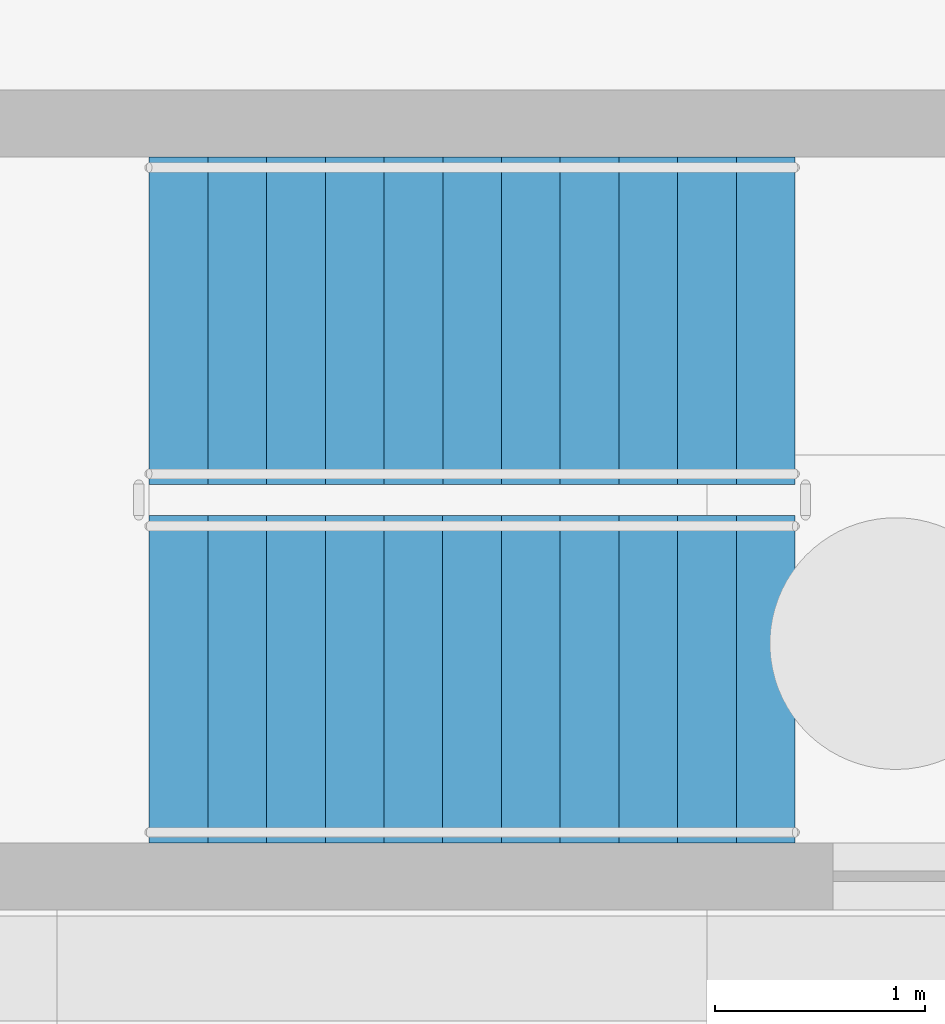
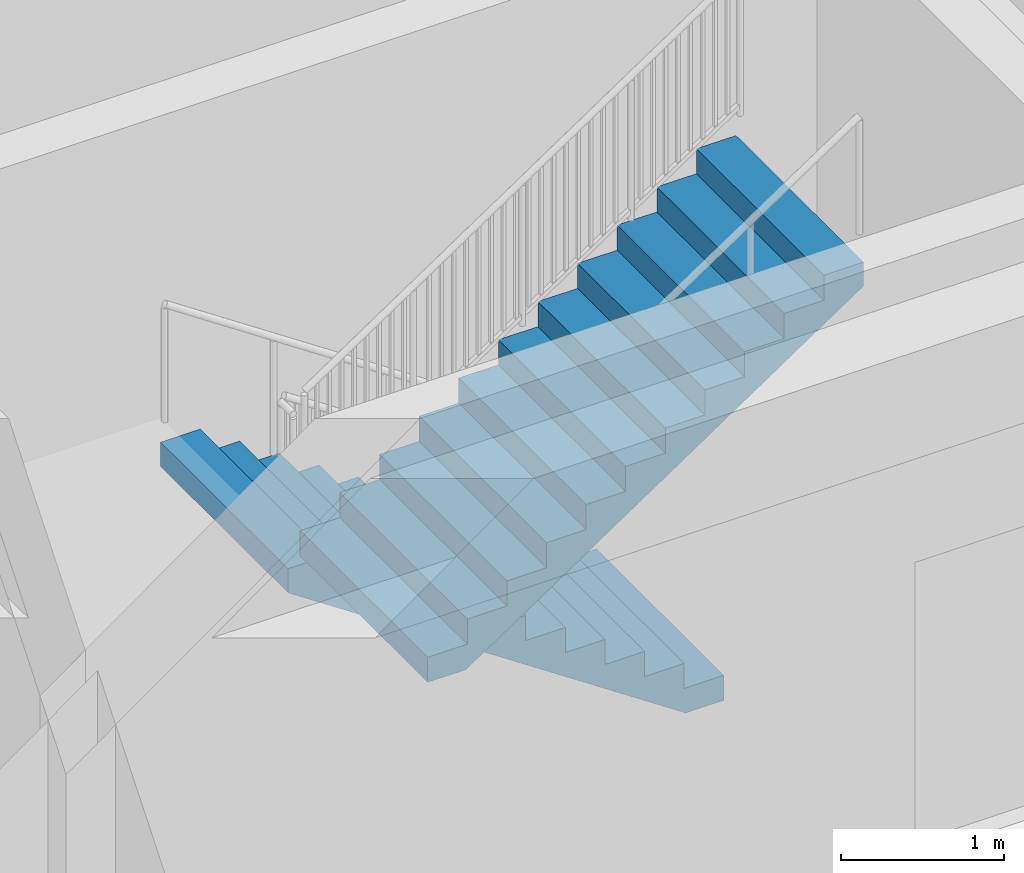
# One storey, part 42 of 49: 2 stair flights, 1 element without a shape of its own.
"""IFC4 building model written with IfcOpenShell, lengths in metres."""

from ifc_helpers import new_model, si_unit, direction, frame, origin, place, context, subcontext, project, spatial, polygons, material, type_object, element, aggregate, save


model = new_model("IFC4")

# Units and contexts
model_context = context("Model", 3, precision=1e-05, world=origin(), true_north=direction((0.0, 1.0)))
body_context = subcontext(model_context, "Body", "Model", "MODEL_VIEW")
ifc_project = project(units=[si_unit("LENGTHUNIT", "METRE"), si_unit("AREAUNIT", "SQUARE_METRE"), si_unit("VOLUMEUNIT", "CUBIC_METRE"), si_unit("PLANEANGLEUNIT", "RADIAN"), si_unit("MASSUNIT", "GRAM", prefix="KILO")], contexts=[model_context])

# Site, building, storey
site_placement = place(None, origin())
site = spatial("IfcSite", under=ifc_project, at=site_placement, CompositionType="ELEMENT")
building_placement = place(site_placement, origin())
building = spatial("IfcBuilding", under=site, at=building_placement, Name="Zantavel Square City Hall", CompositionType="ELEMENT")
storey_placement = place(building_placement, frame((0.0, 0.0, -4.5)))
storey = spatial("IfcBuildingStorey", under=building, at=storey_placement, Name="B1", CompositionType="ELEMENT", Elevation=-4.5)

# Stair, stair flights
ifc_material = material(Name="Concrete C35/45", Category="concrete")
stair_type = type_object("IfcStairType", Name="Enclosed Core Dogleg Stair B1 H4500", PredefinedType="HALF_TURN_STAIR", material=ifc_material)
stair_placement = place(storey_placement, origin())
stair = element("IfcStair", 1, at=stair_placement, inside=storey, type_object=stair_type, Name="B1 Exit Stair 6 Central East Core", PredefinedType="HALF_TURN_STAIR")
stair_flight_type = type_object("IfcStairFlightType", Name="Enclosed Core Stair Flight B1 W1560", PredefinedType="STRAIGHT", material=ifc_material)
stair_flight_1_placement = place(storey_placement, frame((101.969970703125, 63.889892578125, 0.0), z_axis=(0.0, 0.0, 1.0), x_axis=(-1.0, 0.0, 0.0)))
stair_flight_1 = element("IfcStairFlight", 2, at=stair_flight_1_placement, type_object=stair_flight_type, Name="ST6 flight 1", NumberOfRisers=12, NumberOfTreads=11, PredefinedType="STRAIGHT", RiserHeight=0.1875, TreadLength=0.28, context=body_context, shape_type="Tessellation", body=[
    polygons([(0.26953125, -0.780029296875, 0.0), (3.080078125, -0.780029296875, 1.882080078125), (3.080078125, -0.780029296875, 2.0625), (2.800048828125, -0.780029296875, 2.0625), (2.800048828125, -0.780029296875, 1.875), (2.52001953125, -0.780029296875, 1.875), (2.52001953125, -0.780029296875, 1.6875), (2.239990234375, -0.780029296875, 1.6875), (2.239990234375, -0.780029296875, 1.5), (1.9599609375, -0.780029296875, 1.5), (1.9599609375, -0.780029296875, 1.3125), (1.679931640625, -0.780029296875, 1.3125), (1.679931640625, -0.780029296875, 1.125), (1.39990234375, -0.780029296875, 1.125), (1.39990234375, -0.780029296875, 0.9375), (1.1201171875, -0.780029296875, 0.9375), (1.1201171875, -0.780029296875, 0.75), (0.840087890625, -0.780029296875, 0.75), (0.840087890625, -0.780029296875, 0.5625), (0.56005859375, -0.780029296875, 0.5625), (0.56005859375, -0.780029296875, 0.375), (0.280029296875, -0.780029296875, 0.375), (0.280029296875, -0.780029296875, 0.1875), (0.0, -0.780029296875, 0.1875), (0.0, -0.780029296875, 0.0), (0.26953125, -0.5849609375, 0.0), (3.080078125, -0.5849609375, 1.882080078125), (3.080078125, -0.5849609375, 2.0625), (2.800048828125, -0.5849609375, 2.0625), (2.800048828125, -0.5849609375, 1.875), (2.52001953125, -0.5849609375, 1.875), (2.52001953125, -0.5849609375, 1.6875), (2.239990234375, -0.5849609375, 1.6875), (2.239990234375, -0.5849609375, 1.5), (1.9599609375, -0.5849609375, 1.5), (1.9599609375, -0.5849609375, 1.3125), (1.679931640625, -0.5849609375, 1.3125), (1.679931640625, -0.5849609375, 1.125), (1.39990234375, -0.5849609375, 1.125), (1.39990234375, -0.5849609375, 0.9375), (1.1201171875, -0.5849609375, 0.9375), (1.1201171875, -0.5849609375, 0.75), (0.840087890625, -0.5849609375, 0.75), (0.840087890625, -0.5849609375, 0.5625), (0.56005859375, -0.5849609375, 0.5625), (0.56005859375, -0.5849609375, 0.375), (0.280029296875, -0.5849609375, 0.375), (0.280029296875, -0.5849609375, 0.1875), (0.0, -0.5849609375, 0.1875), (0.0, -0.5849609375, 0.0), (0.26953125, -0.39013671875, 0.0), (3.080078125, -0.39013671875, 1.882080078125), (3.080078125, -0.39013671875, 2.0625), (2.800048828125, -0.39013671875, 2.0625), (2.800048828125, -0.39013671875, 1.875), (2.52001953125, -0.39013671875, 1.875), (2.52001953125, -0.39013671875, 1.6875), (2.239990234375, -0.39013671875, 1.6875), (2.239990234375, -0.39013671875, 1.5), (1.9599609375, -0.39013671875, 1.5), (1.9599609375, -0.39013671875, 1.3125), (1.679931640625, -0.39013671875, 1.3125), (1.679931640625, -0.39013671875, 1.125), (1.39990234375, -0.39013671875, 1.125), (1.39990234375, -0.39013671875, 0.9375), (1.1201171875, -0.39013671875, 0.9375), (1.1201171875, -0.39013671875, 0.75), (0.840087890625, -0.39013671875, 0.75), (0.840087890625, -0.39013671875, 0.5625), (0.56005859375, -0.39013671875, 0.5625), (0.56005859375, -0.39013671875, 0.375), (0.280029296875, -0.39013671875, 0.375), (0.280029296875, -0.39013671875, 0.1875), (0.0, -0.39013671875, 0.1875), (0.0, -0.39013671875, 0.0), (0.26953125, -0.195068359375, 0.0), (3.080078125, -0.195068359375, 1.882080078125), (3.080078125, -0.195068359375, 2.0625), (2.800048828125, -0.195068359375, 2.0625), (2.800048828125, -0.195068359375, 1.875), (2.52001953125, -0.195068359375, 1.875), (2.52001953125, -0.195068359375, 1.6875), (2.239990234375, -0.195068359375, 1.6875), (2.239990234375, -0.195068359375, 1.5), (1.9599609375, -0.195068359375, 1.5), (1.9599609375, -0.195068359375, 1.3125), (1.679931640625, -0.195068359375, 1.3125), (1.679931640625, -0.195068359375, 1.125), (1.39990234375, -0.195068359375, 1.125), (1.39990234375, -0.195068359375, 0.9375), (1.1201171875, -0.195068359375, 0.9375), (1.1201171875, -0.195068359375, 0.75), (0.840087890625, -0.195068359375, 0.75), (0.840087890625, -0.195068359375, 0.5625), (0.56005859375, -0.195068359375, 0.5625), (0.56005859375, -0.195068359375, 0.375), (0.280029296875, -0.195068359375, 0.375), (0.280029296875, -0.195068359375, 0.1875), (0.0, -0.195068359375, 0.1875), (0.0, -0.195068359375, 0.0), (0.26953125, 0.0, 0.0), (3.080078125, 0.0, 1.882080078125), (3.080078125, 0.0, 2.0625), (2.800048828125, 0.0, 2.0625), (2.800048828125, 0.0, 1.875), (2.52001953125, 0.0, 1.875), (2.52001953125, 0.0, 1.6875), (2.239990234375, 0.0, 1.6875), (2.239990234375, 0.0, 1.5), (1.9599609375, 0.0, 1.5), (1.9599609375, 0.0, 1.3125), (1.679931640625, 0.0, 1.3125), (1.679931640625, 0.0, 1.125), (1.39990234375, 0.0, 1.125), (1.39990234375, 0.0, 0.9375), (1.1201171875, 0.0, 0.9375), (1.1201171875, 0.0, 0.75), (0.840087890625, 0.0, 0.75), (0.840087890625, 0.0, 0.5625), (0.56005859375, 0.0, 0.5625), (0.56005859375, 0.0, 0.375), (0.280029296875, 0.0, 0.375), (0.280029296875, 0.0, 0.1875), (0.0, 0.0, 0.1875), (0.0, 0.0, 0.0), (0.26953125, 0.195068359375, 0.0), (3.080078125, 0.195068359375, 1.882080078125), (3.080078125, 0.195068359375, 2.0625), (2.800048828125, 0.195068359375, 2.0625), (2.800048828125, 0.195068359375, 1.875), (2.52001953125, 0.195068359375, 1.875), (2.52001953125, 0.195068359375, 1.6875), (2.239990234375, 0.195068359375, 1.6875), (2.239990234375, 0.195068359375, 1.5), (1.9599609375, 0.195068359375, 1.5), (1.9599609375, 0.195068359375, 1.3125), (1.679931640625, 0.195068359375, 1.3125), (1.679931640625, 0.195068359375, 1.125), (1.39990234375, 0.195068359375, 1.125), (1.39990234375, 0.195068359375, 0.9375), (1.1201171875, 0.195068359375, 0.9375), (1.1201171875, 0.195068359375, 0.75), (0.840087890625, 0.195068359375, 0.75), (0.840087890625, 0.195068359375, 0.5625), (0.56005859375, 0.195068359375, 0.5625), (0.56005859375, 0.195068359375, 0.375), (0.280029296875, 0.195068359375, 0.375), (0.280029296875, 0.195068359375, 0.1875), (0.0, 0.195068359375, 0.1875), (0.0, 0.195068359375, 0.0), (0.26953125, 0.39013671875, 0.0), (3.080078125, 0.39013671875, 1.882080078125), (3.080078125, 0.39013671875, 2.0625), (2.800048828125, 0.39013671875, 2.0625), (2.800048828125, 0.39013671875, 1.875), (2.52001953125, 0.39013671875, 1.875), (2.52001953125, 0.39013671875, 1.6875), (2.239990234375, 0.39013671875, 1.6875), (2.239990234375, 0.39013671875, 1.5), (1.9599609375, 0.39013671875, 1.5), (1.9599609375, 0.39013671875, 1.3125), (1.679931640625, 0.39013671875, 1.3125), (1.679931640625, 0.39013671875, 1.125), (1.39990234375, 0.39013671875, 1.125), (1.39990234375, 0.39013671875, 0.9375), (1.1201171875, 0.39013671875, 0.9375), (1.1201171875, 0.39013671875, 0.75), (0.840087890625, 0.39013671875, 0.75), (0.840087890625, 0.39013671875, 0.5625), (0.56005859375, 0.39013671875, 0.5625), (0.56005859375, 0.39013671875, 0.375), (0.280029296875, 0.39013671875, 0.375), (0.280029296875, 0.39013671875, 0.1875), (0.0, 0.39013671875, 0.1875), (0.0, 0.39013671875, 0.0), (0.26953125, 0.5849609375, 0.0), (3.080078125, 0.5849609375, 1.882080078125), (3.080078125, 0.5849609375, 2.0625), (2.800048828125, 0.5849609375, 2.0625), (2.800048828125, 0.5849609375, 1.875), (2.52001953125, 0.5849609375, 1.875), (2.52001953125, 0.5849609375, 1.6875), (2.239990234375, 0.5849609375, 1.6875), (2.239990234375, 0.5849609375, 1.5), (1.9599609375, 0.5849609375, 1.5), (1.9599609375, 0.5849609375, 1.3125), (1.679931640625, 0.5849609375, 1.3125), (1.679931640625, 0.5849609375, 1.125), (1.39990234375, 0.5849609375, 1.125), (1.39990234375, 0.5849609375, 0.9375), (1.1201171875, 0.5849609375, 0.9375), (1.1201171875, 0.5849609375, 0.75), (0.840087890625, 0.5849609375, 0.75), (0.840087890625, 0.5849609375, 0.5625), (0.56005859375, 0.5849609375, 0.5625), (0.56005859375, 0.5849609375, 0.375), (0.280029296875, 0.5849609375, 0.375), (0.280029296875, 0.5849609375, 0.1875), (0.0, 0.5849609375, 0.1875), (0.0, 0.5849609375, 0.0), (0.26953125, 0.780029296875, 0.0), (3.080078125, 0.780029296875, 1.882080078125), (3.080078125, 0.780029296875, 2.0625), (2.800048828125, 0.780029296875, 2.0625), (2.800048828125, 0.780029296875, 1.875), (2.52001953125, 0.780029296875, 1.875), (2.52001953125, 0.780029296875, 1.6875), (2.239990234375, 0.780029296875, 1.6875), (2.239990234375, 0.780029296875, 1.5), (1.9599609375, 0.780029296875, 1.5), (1.9599609375, 0.780029296875, 1.3125), (1.679931640625, 0.780029296875, 1.3125), (1.679931640625, 0.780029296875, 1.125), (1.39990234375, 0.780029296875, 1.125), (1.39990234375, 0.780029296875, 0.9375), (1.1201171875, 0.780029296875, 0.9375), (1.1201171875, 0.780029296875, 0.75), (0.840087890625, 0.780029296875, 0.75), (0.840087890625, 0.780029296875, 0.5625), (0.56005859375, 0.780029296875, 0.5625), (0.56005859375, 0.780029296875, 0.375), (0.280029296875, 0.780029296875, 0.375), (0.280029296875, 0.780029296875, 0.1875), (0.0, 0.780029296875, 0.1875), (0.0, 0.780029296875, 0.0)], [[[1, 2, 3, 4, 5, 6, 7, 8, 9, 10, 11, 12, 13, 14, 15, 16, 17, 18, 19, 20, 21, 22, 23, 24, 25]], [[225, 224, 223, 222, 221, 220, 219, 218, 217, 216, 215, 214, 213, 212, 211, 210, 209, 208, 207, 206, 205, 204, 203, 202, 201]], [[1, 26, 27]], [[1, 27, 2]], [[2, 27, 28]], [[2, 28, 3]], [[3, 28, 29]], [[3, 29, 4]], [[4, 29, 30]], [[4, 30, 5]], [[5, 30, 31]], [[5, 31, 6]], [[6, 31, 32]], [[6, 32, 7]], [[7, 32, 33]], [[7, 33, 8]], [[8, 33, 34]], [[8, 34, 9]], [[9, 34, 35]], [[9, 35, 10]], [[10, 35, 36]], [[10, 36, 11]], [[11, 36, 37]], [[11, 37, 12]], [[12, 37, 38]], [[12, 38, 13]], [[13, 38, 39]], [[13, 39, 14]], [[14, 39, 40]], [[14, 40, 15]], [[15, 40, 41]], [[15, 41, 16]], [[16, 41, 42]], [[16, 42, 17]], [[17, 42, 43]], [[17, 43, 18]], [[18, 43, 44]], [[18, 44, 19]], [[19, 44, 45]], [[19, 45, 20]], [[20, 45, 46]], [[20, 46, 21]], [[21, 46, 47]], [[21, 47, 22]], [[22, 47, 48]], [[22, 48, 23]], [[23, 48, 49]], [[23, 49, 24]], [[24, 49, 50]], [[24, 50, 25]], [[25, 50, 26]], [[25, 26, 1]], [[26, 51, 52]], [[26, 52, 27]], [[27, 52, 53]], [[27, 53, 28]], [[28, 53, 54]], [[28, 54, 29]], [[29, 54, 55]], [[29, 55, 30]], [[30, 55, 56]], [[30, 56, 31]], [[31, 56, 57]], [[31, 57, 32]], [[32, 57, 58]], [[32, 58, 33]], [[33, 58, 59]], [[33, 59, 34]], [[34, 59, 60]], [[34, 60, 35]], [[35, 60, 61]], [[35, 61, 36]], [[36, 61, 62]], [[36, 62, 37]], [[37, 62, 63]], [[37, 63, 38]], [[38, 63, 64]], [[38, 64, 39]], [[39, 64, 65]], [[39, 65, 40]], [[40, 65, 66]], [[40, 66, 41]], [[41, 66, 67]], [[41, 67, 42]], [[42, 67, 68]], [[42, 68, 43]], [[43, 68, 69]], [[43, 69, 44]], [[44, 69, 70]], [[44, 70, 45]], [[45, 70, 71]], [[45, 71, 46]], [[46, 71, 72]], [[46, 72, 47]], [[47, 72, 73]], [[47, 73, 48]], [[48, 73, 74]], [[48, 74, 49]], [[49, 74, 75]], [[49, 75, 50]], [[50, 75, 51]], [[50, 51, 26]], [[51, 76, 77]], [[51, 77, 52]], [[52, 77, 78]], [[52, 78, 53]], [[53, 78, 79]], [[53, 79, 54]], [[54, 79, 80]], [[54, 80, 55]], [[55, 80, 81]], [[55, 81, 56]], [[56, 81, 82]], [[56, 82, 57]], [[57, 82, 83]], [[57, 83, 58]], [[58, 83, 84]], [[58, 84, 59]], [[59, 84, 85]], [[59, 85, 60]], [[60, 85, 86]], [[60, 86, 61]], [[61, 86, 87]], [[61, 87, 62]], [[62, 87, 88]], [[62, 88, 63]], [[63, 88, 89]], [[63, 89, 64]], [[64, 89, 90]], [[64, 90, 65]], [[65, 90, 91]], [[65, 91, 66]], [[66, 91, 92]], [[66, 92, 67]], [[67, 92, 93]], [[67, 93, 68]], [[68, 93, 94]], [[68, 94, 69]], [[69, 94, 95]], [[69, 95, 70]], [[70, 95, 96]], [[70, 96, 71]], [[71, 96, 97]], [[71, 97, 72]], [[72, 97, 98]], [[72, 98, 73]], [[73, 98, 99]], [[73, 99, 74]], [[74, 99, 100]], [[74, 100, 75]], [[75, 100, 76]], [[75, 76, 51]], [[76, 101, 102]], [[76, 102, 77]], [[77, 102, 103]], [[77, 103, 78]], [[78, 103, 104]], [[78, 104, 79]], [[79, 104, 105]], [[79, 105, 80]], [[80, 105, 106]], [[80, 106, 81]], [[81, 106, 107]], [[81, 107, 82]], [[82, 107, 108]], [[82, 108, 83]], [[83, 108, 109]], [[83, 109, 84]], [[84, 109, 110]], [[84, 110, 85]], [[85, 110, 111]], [[85, 111, 86]], [[86, 111, 112]], [[86, 112, 87]], [[87, 112, 113]], [[87, 113, 88]], [[88, 113, 114]], [[88, 114, 89]], [[89, 114, 115]], [[89, 115, 90]], [[90, 115, 116]], [[90, 116, 91]], [[91, 116, 117]], [[91, 117, 92]], [[92, 117, 118]], [[92, 118, 93]], [[93, 118, 119]], [[93, 119, 94]], [[94, 119, 120]], [[94, 120, 95]], [[95, 120, 121]], [[95, 121, 96]], [[96, 121, 122]], [[96, 122, 97]], [[97, 122, 123]], [[97, 123, 98]], [[98, 123, 124]], [[98, 124, 99]], [[99, 124, 125]], [[99, 125, 100]], [[100, 125, 101]], [[100, 101, 76]], [[101, 126, 102]], [[126, 127, 102]], [[102, 127, 103]], [[127, 128, 103]], [[103, 128, 104]], [[128, 129, 104]], [[104, 129, 105]], [[129, 130, 105]], [[105, 130, 106]], [[130, 131, 106]], [[106, 131, 107]], [[131, 132, 107]], [[107, 132, 108]], [[132, 133, 108]], [[108, 133, 109]], [[133, 134, 109]], [[109, 134, 110]], [[134, 135, 110]], [[110, 135, 111]], [[135, 136, 111]], [[111, 136, 112]], [[136, 137, 112]], [[112, 137, 113]], [[137, 138, 113]], [[113, 138, 114]], [[138, 139, 114]], [[114, 139, 115]], [[139, 140, 115]], [[115, 140, 116]], [[140, 141, 116]], [[116, 141, 117]], [[141, 142, 117]], [[117, 142, 118]], [[142, 143, 118]], [[118, 143, 119]], [[143, 144, 119]], [[119, 144, 120]], [[144, 145, 120]], [[120, 145, 121]], [[145, 146, 121]], [[121, 146, 122]], [[146, 147, 122]], [[122, 147, 123]], [[147, 148, 123]], [[123, 148, 124]], [[148, 149, 124]], [[124, 149, 125]], [[149, 150, 125]], [[125, 150, 101]], [[150, 126, 101]], [[126, 151, 127]], [[151, 152, 127]], [[127, 152, 128]], [[152, 153, 128]], [[128, 153, 129]], [[153, 154, 129]], [[129, 154, 130]], [[154, 155, 130]], [[130, 155, 131]], [[155, 156, 131]], [[131, 156, 132]], [[156, 157, 132]], [[132, 157, 133]], [[157, 158, 133]], [[133, 158, 134]], [[158, 159, 134]], [[134, 159, 135]], [[159, 160, 135]], [[135, 160, 136]], [[160, 161, 136]], [[136, 161, 137]], [[161, 162, 137]], [[137, 162, 138]], [[162, 163, 138]], [[138, 163, 139]], [[163, 164, 139]], [[139, 164, 140]], [[164, 165, 140]], [[140, 165, 141]], [[165, 166, 141]], [[141, 166, 142]], [[166, 167, 142]], [[142, 167, 143]], [[167, 168, 143]], [[143, 168, 144]], [[168, 169, 144]], [[144, 169, 145]], [[169, 170, 145]], [[145, 170, 146]], [[170, 171, 146]], [[146, 171, 147]], [[171, 172, 147]], [[147, 172, 148]], [[172, 173, 148]], [[148, 173, 149]], [[173, 174, 149]], [[149, 174, 150]], [[174, 175, 150]], [[150, 175, 126]], [[175, 151, 126]], [[151, 176, 152]], [[176, 177, 152]], [[152, 177, 153]], [[177, 178, 153]], [[153, 178, 154]], [[178, 179, 154]], [[154, 179, 155]], [[179, 180, 155]], [[155, 180, 156]], [[180, 181, 156]], [[156, 181, 157]], [[181, 182, 157]], [[157, 182, 158]], [[182, 183, 158]], [[158, 183, 159]], [[183, 184, 159]], [[159, 184, 160]], [[184, 185, 160]], [[160, 185, 161]], [[185, 186, 161]], [[161, 186, 162]], [[186, 187, 162]], [[162, 187, 163]], [[187, 188, 163]], [[163, 188, 164]], [[188, 189, 164]], [[164, 189, 165]], [[189, 190, 165]], [[165, 190, 166]], [[190, 191, 166]], [[166, 191, 167]], [[191, 192, 167]], [[167, 192, 168]], [[192, 193, 168]], [[168, 193, 169]], [[193, 194, 169]], [[169, 194, 170]], [[194, 195, 170]], [[170, 195, 171]], [[195, 196, 171]], [[171, 196, 172]], [[196, 197, 172]], [[172, 197, 173]], [[197, 198, 173]], [[173, 198, 174]], [[198, 199, 174]], [[174, 199, 175]], [[199, 200, 175]], [[175, 200, 151]], [[200, 176, 151]], [[176, 201, 177]], [[201, 202, 177]], [[177, 202, 178]], [[202, 203, 178]], [[178, 203, 179]], [[203, 204, 179]], [[179, 204, 180]], [[204, 205, 180]], [[180, 205, 181]], [[205, 206, 181]], [[181, 206, 182]], [[206, 207, 182]], [[182, 207, 183]], [[207, 208, 183]], [[183, 208, 184]], [[208, 209, 184]], [[184, 209, 185]], [[209, 210, 185]], [[185, 210, 186]], [[210, 211, 186]], [[186, 211, 187]], [[211, 212, 187]], [[187, 212, 188]], [[212, 213, 188]], [[188, 213, 189]], [[213, 214, 189]], [[189, 214, 190]], [[214, 215, 190]], [[190, 215, 191]], [[215, 216, 191]], [[191, 216, 192]], [[216, 217, 192]], [[192, 217, 193]], [[217, 218, 193]], [[193, 218, 194]], [[218, 219, 194]], [[194, 219, 195]], [[219, 220, 195]], [[195, 220, 196]], [[220, 221, 196]], [[196, 221, 197]], [[221, 222, 197]], [[197, 222, 198]], [[222, 223, 198]], [[198, 223, 199]], [[223, 224, 199]], [[199, 224, 200]], [[224, 225, 200]], [[200, 225, 176]], [[225, 201, 176]]], closed=True),
])
stair_flight_2_placement = place(storey_placement, frame((98.889892578125, 62.179931640625, 2.25), z_axis=(0.0, 0.0, 1.0), x_axis=(1.0, 0.0, 0.0)))
stair_flight_2 = element("IfcStairFlight", 3, at=stair_flight_2_placement, type_object=stair_flight_type, Name="ST6 flight 2", NumberOfRisers=12, NumberOfTreads=11, PredefinedType="STRAIGHT", RiserHeight=0.1875, TreadLength=0.28, context=body_context, shape_type="Tessellation", body=[
    polygons([(0.26953125, -0.780029296875, 0.0), (3.080078125, -0.780029296875, 1.882080078125), (3.080078125, -0.780029296875, 2.0625), (2.800048828125, -0.780029296875, 2.0625), (2.800048828125, -0.780029296875, 1.875), (2.52001953125, -0.780029296875, 1.875), (2.52001953125, -0.780029296875, 1.6875), (2.239990234375, -0.780029296875, 1.6875), (2.239990234375, -0.780029296875, 1.5), (1.9599609375, -0.780029296875, 1.5), (1.9599609375, -0.780029296875, 1.3125), (1.679931640625, -0.780029296875, 1.3125), (1.679931640625, -0.780029296875, 1.125), (1.39990234375, -0.780029296875, 1.125), (1.39990234375, -0.780029296875, 0.9375), (1.1201171875, -0.780029296875, 0.9375), (1.1201171875, -0.780029296875, 0.75), (0.840087890625, -0.780029296875, 0.75), (0.840087890625, -0.780029296875, 0.5625), (0.56005859375, -0.780029296875, 0.5625), (0.56005859375, -0.780029296875, 0.375), (0.280029296875, -0.780029296875, 0.375), (0.280029296875, -0.780029296875, 0.1875), (0.0, -0.780029296875, 0.1875), (0.0, -0.780029296875, 0.0), (0.26953125, -0.5849609375, 0.0), (3.080078125, -0.5849609375, 1.882080078125), (3.080078125, -0.5849609375, 2.0625), (2.800048828125, -0.5849609375, 2.0625), (2.800048828125, -0.5849609375, 1.875), (2.52001953125, -0.5849609375, 1.875), (2.52001953125, -0.5849609375, 1.6875), (2.239990234375, -0.5849609375, 1.6875), (2.239990234375, -0.5849609375, 1.5), (1.9599609375, -0.5849609375, 1.5), (1.9599609375, -0.5849609375, 1.3125), (1.679931640625, -0.5849609375, 1.3125), (1.679931640625, -0.5849609375, 1.125), (1.39990234375, -0.5849609375, 1.125), (1.39990234375, -0.5849609375, 0.9375), (1.1201171875, -0.5849609375, 0.9375), (1.1201171875, -0.5849609375, 0.75), (0.840087890625, -0.5849609375, 0.75), (0.840087890625, -0.5849609375, 0.5625), (0.56005859375, -0.5849609375, 0.5625), (0.56005859375, -0.5849609375, 0.375), (0.280029296875, -0.5849609375, 0.375), (0.280029296875, -0.5849609375, 0.1875), (0.0, -0.5849609375, 0.1875), (0.0, -0.5849609375, 0.0), (0.26953125, -0.39013671875, 0.0), (3.080078125, -0.39013671875, 1.882080078125), (3.080078125, -0.39013671875, 2.0625), (2.800048828125, -0.39013671875, 2.0625), (2.800048828125, -0.39013671875, 1.875), (2.52001953125, -0.39013671875, 1.875), (2.52001953125, -0.39013671875, 1.6875), (2.239990234375, -0.39013671875, 1.6875), (2.239990234375, -0.39013671875, 1.5), (1.9599609375, -0.39013671875, 1.5), (1.9599609375, -0.39013671875, 1.3125), (1.679931640625, -0.39013671875, 1.3125), (1.679931640625, -0.39013671875, 1.125), (1.39990234375, -0.39013671875, 1.125), (1.39990234375, -0.39013671875, 0.9375), (1.1201171875, -0.39013671875, 0.9375), (1.1201171875, -0.39013671875, 0.75), (0.840087890625, -0.39013671875, 0.75), (0.840087890625, -0.39013671875, 0.5625), (0.56005859375, -0.39013671875, 0.5625), (0.56005859375, -0.39013671875, 0.375), (0.280029296875, -0.39013671875, 0.375), (0.280029296875, -0.39013671875, 0.1875), (0.0, -0.39013671875, 0.1875), (0.0, -0.39013671875, 0.0), (0.26953125, -0.195068359375, 0.0), (3.080078125, -0.195068359375, 1.882080078125), (3.080078125, -0.195068359375, 2.0625), (2.800048828125, -0.195068359375, 2.0625), (2.800048828125, -0.195068359375, 1.875), (2.52001953125, -0.195068359375, 1.875), (2.52001953125, -0.195068359375, 1.6875), (2.239990234375, -0.195068359375, 1.6875), (2.239990234375, -0.195068359375, 1.5), (1.9599609375, -0.195068359375, 1.5), (1.9599609375, -0.195068359375, 1.3125), (1.679931640625, -0.195068359375, 1.3125), (1.679931640625, -0.195068359375, 1.125), (1.39990234375, -0.195068359375, 1.125), (1.39990234375, -0.195068359375, 0.9375), (1.1201171875, -0.195068359375, 0.9375), (1.1201171875, -0.195068359375, 0.75), (0.840087890625, -0.195068359375, 0.75), (0.840087890625, -0.195068359375, 0.5625), (0.56005859375, -0.195068359375, 0.5625), (0.56005859375, -0.195068359375, 0.375), (0.280029296875, -0.195068359375, 0.375), (0.280029296875, -0.195068359375, 0.1875), (0.0, -0.195068359375, 0.1875), (0.0, -0.195068359375, 0.0), (0.26953125, 0.0, 0.0), (3.080078125, 0.0, 1.882080078125), (3.080078125, 0.0, 2.0625), (2.800048828125, 0.0, 2.0625), (2.800048828125, 0.0, 1.875), (2.52001953125, 0.0, 1.875), (2.52001953125, 0.0, 1.6875), (2.239990234375, 0.0, 1.6875), (2.239990234375, 0.0, 1.5), (1.9599609375, 0.0, 1.5), (1.9599609375, 0.0, 1.3125), (1.679931640625, 0.0, 1.3125), (1.679931640625, 0.0, 1.125), (1.39990234375, 0.0, 1.125), (1.39990234375, 0.0, 0.9375), (1.1201171875, 0.0, 0.9375), (1.1201171875, 0.0, 0.75), (0.840087890625, 0.0, 0.75), (0.840087890625, 0.0, 0.5625), (0.56005859375, 0.0, 0.5625), (0.56005859375, 0.0, 0.375), (0.280029296875, 0.0, 0.375), (0.280029296875, 0.0, 0.1875), (0.0, 0.0, 0.1875), (0.0, 0.0, 0.0), (0.26953125, 0.195068359375, 0.0), (3.080078125, 0.195068359375, 1.882080078125), (3.080078125, 0.195068359375, 2.0625), (2.800048828125, 0.195068359375, 2.0625), (2.800048828125, 0.195068359375, 1.875), (2.52001953125, 0.195068359375, 1.875), (2.52001953125, 0.195068359375, 1.6875), (2.239990234375, 0.195068359375, 1.6875), (2.239990234375, 0.195068359375, 1.5), (1.9599609375, 0.195068359375, 1.5), (1.9599609375, 0.195068359375, 1.3125), (1.679931640625, 0.195068359375, 1.3125), (1.679931640625, 0.195068359375, 1.125), (1.39990234375, 0.195068359375, 1.125), (1.39990234375, 0.195068359375, 0.9375), (1.1201171875, 0.195068359375, 0.9375), (1.1201171875, 0.195068359375, 0.75), (0.840087890625, 0.195068359375, 0.75), (0.840087890625, 0.195068359375, 0.5625), (0.56005859375, 0.195068359375, 0.5625), (0.56005859375, 0.195068359375, 0.375), (0.280029296875, 0.195068359375, 0.375), (0.280029296875, 0.195068359375, 0.1875), (0.0, 0.195068359375, 0.1875), (0.0, 0.195068359375, 0.0), (0.26953125, 0.39013671875, 0.0), (3.080078125, 0.39013671875, 1.882080078125), (3.080078125, 0.39013671875, 2.0625), (2.800048828125, 0.39013671875, 2.0625), (2.800048828125, 0.39013671875, 1.875), (2.52001953125, 0.39013671875, 1.875), (2.52001953125, 0.39013671875, 1.6875), (2.239990234375, 0.39013671875, 1.6875), (2.239990234375, 0.39013671875, 1.5), (1.9599609375, 0.39013671875, 1.5), (1.9599609375, 0.39013671875, 1.3125), (1.679931640625, 0.39013671875, 1.3125), (1.679931640625, 0.39013671875, 1.125), (1.39990234375, 0.39013671875, 1.125), (1.39990234375, 0.39013671875, 0.9375), (1.1201171875, 0.39013671875, 0.9375), (1.1201171875, 0.39013671875, 0.75), (0.840087890625, 0.39013671875, 0.75), (0.840087890625, 0.39013671875, 0.5625), (0.56005859375, 0.39013671875, 0.5625), (0.56005859375, 0.39013671875, 0.375), (0.280029296875, 0.39013671875, 0.375), (0.280029296875, 0.39013671875, 0.1875), (0.0, 0.39013671875, 0.1875), (0.0, 0.39013671875, 0.0), (0.26953125, 0.5849609375, 0.0), (3.080078125, 0.5849609375, 1.882080078125), (3.080078125, 0.5849609375, 2.0625), (2.800048828125, 0.5849609375, 2.0625), (2.800048828125, 0.5849609375, 1.875), (2.52001953125, 0.5849609375, 1.875), (2.52001953125, 0.5849609375, 1.6875), (2.239990234375, 0.5849609375, 1.6875), (2.239990234375, 0.5849609375, 1.5), (1.9599609375, 0.5849609375, 1.5), (1.9599609375, 0.5849609375, 1.3125), (1.679931640625, 0.5849609375, 1.3125), (1.679931640625, 0.5849609375, 1.125), (1.39990234375, 0.5849609375, 1.125), (1.39990234375, 0.5849609375, 0.9375), (1.1201171875, 0.5849609375, 0.9375), (1.1201171875, 0.5849609375, 0.75), (0.840087890625, 0.5849609375, 0.75), (0.840087890625, 0.5849609375, 0.5625), (0.56005859375, 0.5849609375, 0.5625), (0.56005859375, 0.5849609375, 0.375), (0.280029296875, 0.5849609375, 0.375), (0.280029296875, 0.5849609375, 0.1875), (0.0, 0.5849609375, 0.1875), (0.0, 0.5849609375, 0.0), (0.26953125, 0.780029296875, 0.0), (3.080078125, 0.780029296875, 1.882080078125), (3.080078125, 0.780029296875, 2.0625), (2.800048828125, 0.780029296875, 2.0625), (2.800048828125, 0.780029296875, 1.875), (2.52001953125, 0.780029296875, 1.875), (2.52001953125, 0.780029296875, 1.6875), (2.239990234375, 0.780029296875, 1.6875), (2.239990234375, 0.780029296875, 1.5), (1.9599609375, 0.780029296875, 1.5), (1.9599609375, 0.780029296875, 1.3125), (1.679931640625, 0.780029296875, 1.3125), (1.679931640625, 0.780029296875, 1.125), (1.39990234375, 0.780029296875, 1.125), (1.39990234375, 0.780029296875, 0.9375), (1.1201171875, 0.780029296875, 0.9375), (1.1201171875, 0.780029296875, 0.75), (0.840087890625, 0.780029296875, 0.75), (0.840087890625, 0.780029296875, 0.5625), (0.56005859375, 0.780029296875, 0.5625), (0.56005859375, 0.780029296875, 0.375), (0.280029296875, 0.780029296875, 0.375), (0.280029296875, 0.780029296875, 0.1875), (0.0, 0.780029296875, 0.1875), (0.0, 0.780029296875, 0.0)], [[[1, 2, 3, 4, 5, 6, 7, 8, 9, 10, 11, 12, 13, 14, 15, 16, 17, 18, 19, 20, 21, 22, 23, 24, 25]], [[225, 224, 223, 222, 221, 220, 219, 218, 217, 216, 215, 214, 213, 212, 211, 210, 209, 208, 207, 206, 205, 204, 203, 202, 201]], [[1, 26, 27]], [[1, 27, 2]], [[2, 27, 28]], [[2, 28, 3]], [[3, 28, 29]], [[3, 29, 4]], [[4, 29, 30]], [[4, 30, 5]], [[5, 30, 31]], [[5, 31, 6]], [[6, 31, 32]], [[6, 32, 7]], [[7, 32, 33]], [[7, 33, 8]], [[8, 33, 34]], [[8, 34, 9]], [[9, 34, 35]], [[9, 35, 10]], [[10, 35, 36]], [[10, 36, 11]], [[11, 36, 37]], [[11, 37, 12]], [[12, 37, 38]], [[12, 38, 13]], [[13, 38, 39]], [[13, 39, 14]], [[14, 39, 40]], [[14, 40, 15]], [[15, 40, 41]], [[15, 41, 16]], [[16, 41, 42]], [[16, 42, 17]], [[17, 42, 43]], [[17, 43, 18]], [[18, 43, 44]], [[18, 44, 19]], [[19, 44, 45]], [[19, 45, 20]], [[20, 45, 46]], [[20, 46, 21]], [[21, 46, 47]], [[21, 47, 22]], [[22, 47, 48]], [[22, 48, 23]], [[23, 48, 49]], [[23, 49, 24]], [[24, 49, 50]], [[24, 50, 25]], [[25, 50, 26]], [[25, 26, 1]], [[26, 51, 52]], [[26, 52, 27]], [[27, 52, 53]], [[27, 53, 28]], [[28, 53, 54]], [[28, 54, 29]], [[29, 54, 55]], [[29, 55, 30]], [[30, 55, 56]], [[30, 56, 31]], [[31, 56, 57]], [[31, 57, 32]], [[32, 57, 58]], [[32, 58, 33]], [[33, 58, 59]], [[33, 59, 34]], [[34, 59, 60]], [[34, 60, 35]], [[35, 60, 61]], [[35, 61, 36]], [[36, 61, 62]], [[36, 62, 37]], [[37, 62, 63]], [[37, 63, 38]], [[38, 63, 64]], [[38, 64, 39]], [[39, 64, 65]], [[39, 65, 40]], [[40, 65, 66]], [[40, 66, 41]], [[41, 66, 67]], [[41, 67, 42]], [[42, 67, 68]], [[42, 68, 43]], [[43, 68, 69]], [[43, 69, 44]], [[44, 69, 70]], [[44, 70, 45]], [[45, 70, 71]], [[45, 71, 46]], [[46, 71, 72]], [[46, 72, 47]], [[47, 72, 73]], [[47, 73, 48]], [[48, 73, 74]], [[48, 74, 49]], [[49, 74, 75]], [[49, 75, 50]], [[50, 75, 51]], [[50, 51, 26]], [[51, 76, 77]], [[51, 77, 52]], [[52, 77, 78]], [[52, 78, 53]], [[53, 78, 79]], [[53, 79, 54]], [[54, 79, 80]], [[54, 80, 55]], [[55, 80, 81]], [[55, 81, 56]], [[56, 81, 82]], [[56, 82, 57]], [[57, 82, 83]], [[57, 83, 58]], [[58, 83, 84]], [[58, 84, 59]], [[59, 84, 85]], [[59, 85, 60]], [[60, 85, 86]], [[60, 86, 61]], [[61, 86, 87]], [[61, 87, 62]], [[62, 87, 88]], [[62, 88, 63]], [[63, 88, 89]], [[63, 89, 64]], [[64, 89, 90]], [[64, 90, 65]], [[65, 90, 91]], [[65, 91, 66]], [[66, 91, 92]], [[66, 92, 67]], [[67, 92, 93]], [[67, 93, 68]], [[68, 93, 94]], [[68, 94, 69]], [[69, 94, 95]], [[69, 95, 70]], [[70, 95, 96]], [[70, 96, 71]], [[71, 96, 97]], [[71, 97, 72]], [[72, 97, 98]], [[72, 98, 73]], [[73, 98, 99]], [[73, 99, 74]], [[74, 99, 100]], [[74, 100, 75]], [[75, 100, 76]], [[75, 76, 51]], [[76, 101, 102]], [[76, 102, 77]], [[77, 102, 103]], [[77, 103, 78]], [[78, 103, 104]], [[78, 104, 79]], [[79, 104, 105]], [[79, 105, 80]], [[80, 105, 106]], [[80, 106, 81]], [[81, 106, 107]], [[81, 107, 82]], [[82, 107, 108]], [[82, 108, 83]], [[83, 108, 109]], [[83, 109, 84]], [[84, 109, 110]], [[84, 110, 85]], [[85, 110, 111]], [[85, 111, 86]], [[86, 111, 112]], [[86, 112, 87]], [[87, 112, 113]], [[87, 113, 88]], [[88, 113, 114]], [[88, 114, 89]], [[89, 114, 115]], [[89, 115, 90]], [[90, 115, 116]], [[90, 116, 91]], [[91, 116, 117]], [[91, 117, 92]], [[92, 117, 118]], [[92, 118, 93]], [[93, 118, 119]], [[93, 119, 94]], [[94, 119, 120]], [[94, 120, 95]], [[95, 120, 121]], [[95, 121, 96]], [[96, 121, 122]], [[96, 122, 97]], [[97, 122, 123]], [[97, 123, 98]], [[98, 123, 124]], [[98, 124, 99]], [[99, 124, 125]], [[99, 125, 100]], [[100, 125, 101]], [[100, 101, 76]], [[101, 126, 102]], [[126, 127, 102]], [[102, 127, 103]], [[127, 128, 103]], [[103, 128, 104]], [[128, 129, 104]], [[104, 129, 105]], [[129, 130, 105]], [[105, 130, 106]], [[130, 131, 106]], [[106, 131, 107]], [[131, 132, 107]], [[107, 132, 108]], [[132, 133, 108]], [[108, 133, 109]], [[133, 134, 109]], [[109, 134, 110]], [[134, 135, 110]], [[110, 135, 111]], [[135, 136, 111]], [[111, 136, 112]], [[136, 137, 112]], [[112, 137, 113]], [[137, 138, 113]], [[113, 138, 114]], [[138, 139, 114]], [[114, 139, 115]], [[139, 140, 115]], [[115, 140, 116]], [[140, 141, 116]], [[116, 141, 117]], [[141, 142, 117]], [[117, 142, 118]], [[142, 143, 118]], [[118, 143, 119]], [[143, 144, 119]], [[119, 144, 120]], [[144, 145, 120]], [[120, 145, 121]], [[145, 146, 121]], [[121, 146, 122]], [[146, 147, 122]], [[122, 147, 123]], [[147, 148, 123]], [[123, 148, 124]], [[148, 149, 124]], [[124, 149, 125]], [[149, 150, 125]], [[125, 150, 101]], [[150, 126, 101]], [[126, 151, 127]], [[151, 152, 127]], [[127, 152, 128]], [[152, 153, 128]], [[128, 153, 129]], [[153, 154, 129]], [[129, 154, 130]], [[154, 155, 130]], [[130, 155, 131]], [[155, 156, 131]], [[131, 156, 132]], [[156, 157, 132]], [[132, 157, 133]], [[157, 158, 133]], [[133, 158, 134]], [[158, 159, 134]], [[134, 159, 135]], [[159, 160, 135]], [[135, 160, 136]], [[160, 161, 136]], [[136, 161, 137]], [[161, 162, 137]], [[137, 162, 138]], [[162, 163, 138]], [[138, 163, 139]], [[163, 164, 139]], [[139, 164, 140]], [[164, 165, 140]], [[140, 165, 141]], [[165, 166, 141]], [[141, 166, 142]], [[166, 167, 142]], [[142, 167, 143]], [[167, 168, 143]], [[143, 168, 144]], [[168, 169, 144]], [[144, 169, 145]], [[169, 170, 145]], [[145, 170, 146]], [[170, 171, 146]], [[146, 171, 147]], [[171, 172, 147]], [[147, 172, 148]], [[172, 173, 148]], [[148, 173, 149]], [[173, 174, 149]], [[149, 174, 150]], [[174, 175, 150]], [[150, 175, 126]], [[175, 151, 126]], [[151, 176, 152]], [[176, 177, 152]], [[152, 177, 153]], [[177, 178, 153]], [[153, 178, 154]], [[178, 179, 154]], [[154, 179, 155]], [[179, 180, 155]], [[155, 180, 156]], [[180, 181, 156]], [[156, 181, 157]], [[181, 182, 157]], [[157, 182, 158]], [[182, 183, 158]], [[158, 183, 159]], [[183, 184, 159]], [[159, 184, 160]], [[184, 185, 160]], [[160, 185, 161]], [[185, 186, 161]], [[161, 186, 162]], [[186, 187, 162]], [[162, 187, 163]], [[187, 188, 163]], [[163, 188, 164]], [[188, 189, 164]], [[164, 189, 165]], [[189, 190, 165]], [[165, 190, 166]], [[190, 191, 166]], [[166, 191, 167]], [[191, 192, 167]], [[167, 192, 168]], [[192, 193, 168]], [[168, 193, 169]], [[193, 194, 169]], [[169, 194, 170]], [[194, 195, 170]], [[170, 195, 171]], [[195, 196, 171]], [[171, 196, 172]], [[196, 197, 172]], [[172, 197, 173]], [[197, 198, 173]], [[173, 198, 174]], [[198, 199, 174]], [[174, 199, 175]], [[199, 200, 175]], [[175, 200, 151]], [[200, 176, 151]], [[176, 201, 177]], [[201, 202, 177]], [[177, 202, 178]], [[202, 203, 178]], [[178, 203, 179]], [[203, 204, 179]], [[179, 204, 180]], [[204, 205, 180]], [[180, 205, 181]], [[205, 206, 181]], [[181, 206, 182]], [[206, 207, 182]], [[182, 207, 183]], [[207, 208, 183]], [[183, 208, 184]], [[208, 209, 184]], [[184, 209, 185]], [[209, 210, 185]], [[185, 210, 186]], [[210, 211, 186]], [[186, 211, 187]], [[211, 212, 187]], [[187, 212, 188]], [[212, 213, 188]], [[188, 213, 189]], [[213, 214, 189]], [[189, 214, 190]], [[214, 215, 190]], [[190, 215, 191]], [[215, 216, 191]], [[191, 216, 192]], [[216, 217, 192]], [[192, 217, 193]], [[217, 218, 193]], [[193, 218, 194]], [[218, 219, 194]], [[194, 219, 195]], [[219, 220, 195]], [[195, 220, 196]], [[220, 221, 196]], [[196, 221, 197]], [[221, 222, 197]], [[197, 222, 198]], [[222, 223, 198]], [[198, 223, 199]], [[223, 224, 199]], [[199, 224, 200]], [[224, 225, 200]], [[200, 225, 176]], [[225, 201, 176]]], closed=True),
])
aggregate(stair, [stair_flight_1, stair_flight_2])

save(model, "model.ifc")
